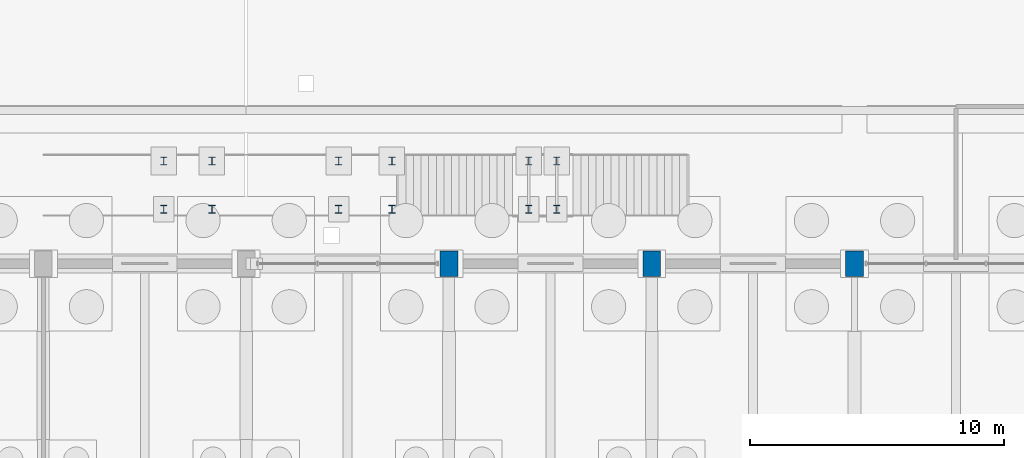
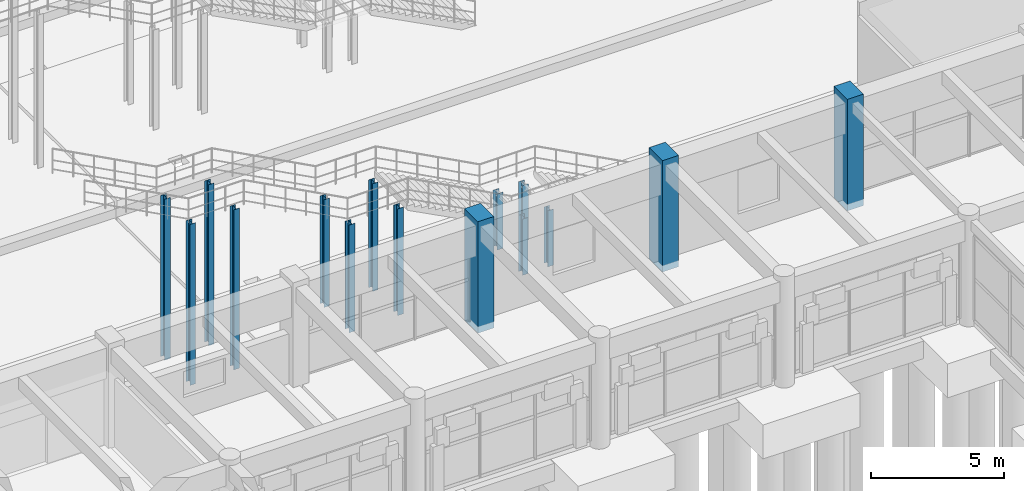
# One storey, part 18 of 147: 15 columns.
"""IFC4 building model written with IfcOpenShell, lengths in metres."""

from ifc_helpers import new_model, si_unit, direction, frame, origin, origin_2d, place, context, subcontext, project, spatial, rectangle, i_section, extrude, material, material_profile, profile_set, type_object, element, save


model = new_model("IFC4")

# Units and contexts
model_context = context("Model", 3, precision=1e-05, world=origin(), true_north=direction((0.0, 1.0)))
body_context = subcontext(model_context, "Body", "Model", "MODEL_VIEW")
ifc_project = project(units=[si_unit("LENGTHUNIT", "METRE"), si_unit("AREAUNIT", "SQUARE_METRE"), si_unit("VOLUMEUNIT", "CUBIC_METRE"), si_unit("PLANEANGLEUNIT", "RADIAN"), si_unit("MASSUNIT", "GRAM", prefix="KILO")], contexts=[model_context])

# Site, building, storey
site_placement = place(None, origin())
site = spatial("IfcSite", under=ifc_project, at=site_placement, CompositionType="ELEMENT")
building_placement = place(site_placement, origin())
building = spatial("IfcBuilding", under=site, at=building_placement, Name="Varnabhumi Central Station", CompositionType="ELEMENT")
storey_placement = place(building_placement, origin())
storey = spatial("IfcBuildingStorey", under=building, at=storey_placement, Name="L00", CompositionType="ELEMENT", Elevation=0.0)

# Columns
ifc_material_1 = material(Name="Structural steel E350", Category="steel")
ifc_material_profile_1 = material_profile(ifc_material_1, i_section(OverallWidth=0.25, OverallDepth=0.300048828125, WebThickness=0.009521484375, FlangeThickness=0.010498046875, FilletRadius=0.010986328125, at=origin_2d()), Name="Structural steel E350", Category="steel")
ifc_profile_set_1 = profile_set([ifc_material_profile_1], Name="Structural steel E350")
column_type_1 = type_object("IfcColumnType", Name="COL-GALLERY-ISHB300", PredefinedType="COLUMN", material=ifc_profile_set_1)
for number, where, z_axis, x_axis, name in (
    (1, (131.14990234375, 38.14990234375, -0.35009765625), (0.0, 0.0, 1.0), (1.0, 0.0, 0.0), "Stair Support Column P1-p1_l0mid-1S"),
    (2, (131.14990234375, 40.050048828125, -0.35009765625), (0.0, 0.0, 1.0), (1.0, 0.0, 0.0), "Stair Support Column P1-p1_l0mid-1N"),
    (3, (132.25, 38.14990234375, -0.35009765625), (0.0, 0.0, 1.0), (1.0, 0.0, 0.0), "Stair Support Column P1-p1_l0mid-2S"),
    (4, (132.25, 40.050048828125, -0.35009765625), (0.0, 0.0, 1.0), (1.0, 0.0, 0.0), "Stair Support Column P1-p1_l0mid-2N"),
):
    element("IfcColumn", number, at=place(storey_placement, frame(where, z_axis=z_axis, x_axis=x_axis)), inside=storey, type_object=column_type_1, Name=name, PredefinedType="COLUMN", context=body_context, shape_type="SweptSolid", body=[
        extrude(i_section(OverallWidth=0.25, OverallDepth=0.300048828125, WebThickness=0.009521484375, FlangeThickness=0.010498046875, FilletRadius=0.010986328125, at=origin_2d()), origin(), (0.0, 0.0, 1.0), 2.570068359375),
    ])
for number, where, z_axis, x_axis, name in (
    (5, (123.64990234375, 38.14990234375, -0.35009765625), (0.0, 0.0, 1.0), (1.0, 0.0, 0.0), "Stair Support Column P1-p1_l1xfer-1S"),
    (6, (123.64990234375, 40.050048828125, -0.35009765625), (0.0, 0.0, 1.0), (1.0, 0.0, 0.0), "Stair Support Column P1-p1_l1xfer-1N"),
):
    element("IfcColumn", number, at=place(storey_placement, frame(where, z_axis=z_axis, x_axis=x_axis)), inside=storey, type_object=column_type_1, Name=name, PredefinedType="COLUMN", context=body_context, shape_type="SweptSolid", body=[
        extrude(i_section(OverallWidth=0.25, OverallDepth=0.300048828125, WebThickness=0.009521484375, FlangeThickness=0.010498046875, FilletRadius=0.010986328125, at=origin_2d()), origin(), (0.0, 0.0, 1.0), 4.93017578125),
    ])
column_1_placement = place(storey_placement, frame((125.75, 38.14990234375, -0.300048828125), z_axis=(0.0, 0.0, 1.0), x_axis=(1.0, 0.0, 0.0)))
element("IfcColumn", 7, at=column_1_placement, inside=storey, type_object=column_type_1, Name="Stair Support Column P1-p1_l1xfer-2S", PredefinedType="COLUMN", context=body_context, shape_type="SweptSolid", body=[
    extrude(i_section(OverallWidth=0.25, OverallDepth=0.300048828125, WebThickness=0.009521484375, FlangeThickness=0.010498046875, FilletRadius=0.010986328125, at=origin_2d()), origin(), (0.0, 0.0, 1.0), 4.880126953125),
])
column_2_placement = place(storey_placement, frame((125.75, 40.050048828125, -0.35009765625), z_axis=(0.0, 0.0, 1.0), x_axis=(1.0, 0.0, 0.0)))
element("IfcColumn", 8, at=column_2_placement, inside=storey, type_object=column_type_1, Name="Stair Support Column P1-p1_l1xfer-2N", PredefinedType="COLUMN", context=body_context, shape_type="SweptSolid", body=[
    extrude(i_section(OverallWidth=0.25, OverallDepth=0.300048828125, WebThickness=0.009521484375, FlangeThickness=0.010498046875, FilletRadius=0.010986328125, at=origin_2d()), origin(), (0.0, 0.0, 1.0), 4.93017578125),
])
for number, where, z_axis, x_axis, name in (
    (9, (116.75, 38.14990234375, -0.35009765625), (0.0, 0.0, 1.0), (1.0, 0.0, 0.0), "Stair Support Column P1-p1_l1mid-1S"),
    (10, (116.75, 40.050048828125, -0.35009765625), (0.0, 0.0, 1.0), (1.0, 0.0, 0.0), "Stair Support Column P1-p1_l1mid-1N"),
):
    element("IfcColumn", number, at=place(storey_placement, frame(where, z_axis=z_axis, x_axis=x_axis)), inside=storey, type_object=column_type_1, Name=name, PredefinedType="COLUMN", context=body_context, shape_type="SweptSolid", body=[
        extrude(i_section(OverallWidth=0.25, OverallDepth=0.300048828125, WebThickness=0.009521484375, FlangeThickness=0.010498046875, FilletRadius=0.010986328125, at=origin_2d()), origin(), (0.0, 0.0, 1.0), 7.3701171875),
    ])
column_3_placement = place(storey_placement, frame((118.64990234375, 38.14990234375, -0.300048828125), z_axis=(0.0, 0.0, 1.0), x_axis=(1.0, 0.0, 0.0)))
element("IfcColumn", 11, at=column_3_placement, inside=storey, type_object=column_type_1, Name="Stair Support Column P1-p1_l1mid-2S", PredefinedType="COLUMN", context=body_context, shape_type="SweptSolid", body=[
    extrude(i_section(OverallWidth=0.25, OverallDepth=0.300048828125, WebThickness=0.009521484375, FlangeThickness=0.010498046875, FilletRadius=0.010986328125, at=origin_2d()), origin(), (0.0, 0.0, 1.0), 7.320068359375),
])
column_4_placement = place(storey_placement, frame((118.64990234375, 40.050048828125, -0.35009765625), z_axis=(0.0, 0.0, 1.0), x_axis=(1.0, 0.0, 0.0)))
element("IfcColumn", 12, at=column_4_placement, inside=storey, type_object=column_type_1, Name="Stair Support Column P1-p1_l1mid-2N", PredefinedType="COLUMN", context=body_context, shape_type="SweptSolid", body=[
    extrude(i_section(OverallWidth=0.25, OverallDepth=0.300048828125, WebThickness=0.009521484375, FlangeThickness=0.010498046875, FilletRadius=0.010986328125, at=origin_2d()), origin(), (0.0, 0.0, 1.0), 7.3701171875),
])
ifc_material_2 = material(Name="Concrete M50", Category="concrete")
ifc_material_profile_2 = material_profile(ifc_material_2, rectangle(XDim=0.699951171875, YDim=1.0, at=origin_2d()), Name="Concrete M50", Category="concrete")
ifc_profile_set_2 = profile_set([ifc_material_profile_2], Name="Concrete M50")
column_type_2 = type_object("IfcColumnType", Name="COL-SPINE-M50-1000x700", PredefinedType="COLUMN", material=ifc_profile_set_2)
for number, where, z_axis, x_axis, name in (
    (13, (128.0, 36.0, -0.300048828125), (0.0, 0.0, 1.0), (1.0, 0.0, 0.0), "Column L00-17E"),
    (14, (136.0, 36.0, -0.300048828125), (0.0, 0.0, 1.0), (1.0, 0.0, 0.0), "Column L00-18E"),
    (15, (144.0, 36.0, -0.300048828125), (0.0, 0.0, 1.0), (1.0, 0.0, 0.0), "Column L00-19E"),
):
    element("IfcColumn", number, at=place(storey_placement, frame(where, z_axis=z_axis, x_axis=x_axis)), inside=storey, type_object=column_type_2, Name=name, PredefinedType="COLUMN", context=body_context, shape_type="SweptSolid", body=[
        extrude(rectangle(XDim=0.699951171875, YDim=1.0, at=origin_2d()), origin(), (0.0, 0.0, 1.0), 5.10009765625),
    ])

save(model, "model.ifc")
